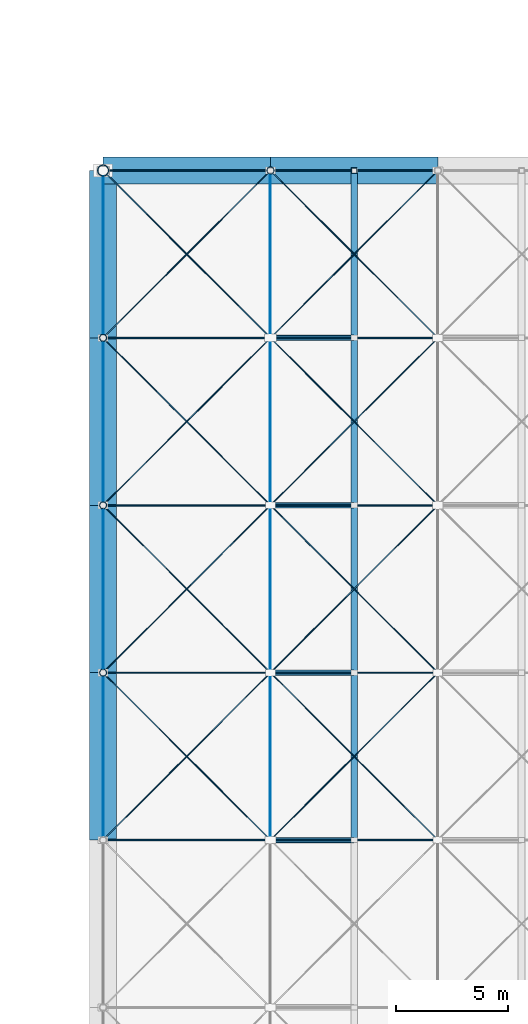
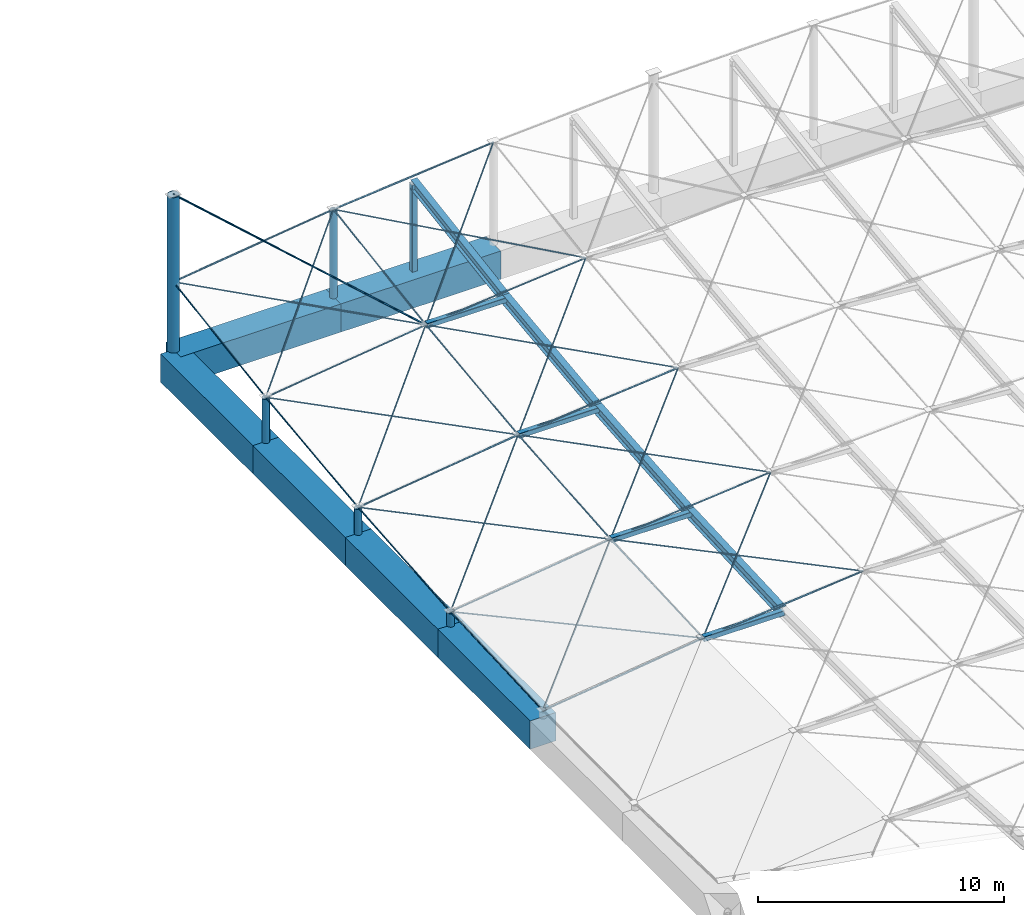
# One storey, part 2 of 17: 49 members, 6 beams.
"""IFC4 building model written with IfcOpenShell, lengths in metres."""

from ifc_helpers import new_model, si_unit, direction, frame, origin, origin_2d, place, context, subcontext, project, spatial, rectangle, hollow_rectangle, circle, hollow_circle, i_section, extrude, material, material_profile, profile_set, type_object, element, save


model = new_model("IFC4")

# Units and contexts
model_context = context("Model", 3, precision=1e-05, world=origin(), true_north=direction((0.0, 1.0)))
body_context = subcontext(model_context, "Body", "Model", "MODEL_VIEW")
ifc_project = project(units=[si_unit("LENGTHUNIT", "METRE"), si_unit("AREAUNIT", "SQUARE_METRE"), si_unit("VOLUMEUNIT", "CUBIC_METRE"), si_unit("PLANEANGLEUNIT", "RADIAN"), si_unit("MASSUNIT", "GRAM", prefix="KILO")], contexts=[model_context])

# Site, building, storey
site_placement = place(None, origin())
site = spatial("IfcSite", under=ifc_project, at=site_placement, CompositionType="ELEMENT")
building_placement = place(site_placement, origin())
building = spatial("IfcBuilding", under=site, at=building_placement, Name="Qasida Concert Hall", CompositionType="ELEMENT")
storey_placement = place(building_placement, frame((0.0, 0.0, 25.199951171875)))
storey = spatial("IfcBuildingStorey", under=building, at=storey_placement, Name="RF", CompositionType="ELEMENT", Elevation=25.199951171875)

# Beams
ifc_material_1 = material(Name="Concrete C50/60", Category="concrete")
ifc_material_profile_1 = material_profile(ifc_material_1, rectangle(XDim=1.199951171875, YDim=1.39990234375, at=origin_2d()), Name="RC 1200x1400")
ifc_profile_set_1 = profile_set([ifc_material_profile_1], Name="Concrete C50/60")
beam_type = type_object("IfcBeamType", Name="BM-RB1", PredefinedType="USERDEFINED", material=ifc_profile_set_1)
for number, where, z_axis, x_axis, name in (
    (1, (52.5, 82.5, 0.0), (1.0, 0.0, 0.0), (0.0, 1.0, 0.0), "Ring beam RB-006"),
    (2, (60.0, 82.5, 0.0), (1.0, 0.0, 0.0), (0.0, 1.0, 0.0), "Ring beam RB-007"),
    (3, (52.5, 52.5, 0.0), (0.0, 1.0, 0.0), (-1.0, 0.0, 0.0), "Ring beam RB-017"),
    (4, (52.5, 60.0, 0.0), (0.0, 1.0, 0.0), (-1.0, 0.0, 0.0), "Ring beam RB-018"),
    (5, (52.5, 67.5, 0.0), (0.0, 1.0, 0.0), (-1.0, 0.0, 0.0), "Ring beam RB-019"),
    (6, (52.5, 75.0, 0.0), (0.0, 1.0, 0.0), (-1.0, 0.0, 0.0), "Ring beam RB-020"),
):
    element("IfcBeam", number, at=place(storey_placement, frame(where, z_axis=z_axis, x_axis=x_axis)), inside=storey, type_object=beam_type, Name=name, ObjectType="GIRDER", PredefinedType="USERDEFINED", context=body_context, shape_type="SweptSolid", body=[
        extrude(rectangle(XDim=1.199951171875, YDim=1.39990234375, at=origin_2d()), origin(), (0.0, 0.0, 1.0), 7.5),
    ])

# Members
ifc_material_2 = material(Name="Steel S460N spiral strand EN 12385", Category="steel")
ifc_material_profile_2 = material_profile(ifc_material_2, circle(Radius=0.031982421875, at=origin_2d()), Name="STRAND D64")
ifc_profile_set_2 = profile_set([ifc_material_profile_2], Name="Steel S460N spiral strand EN 12385")
member_type_1 = type_object("IfcMemberType", Name="MB-CC1", PredefinedType="USERDEFINED", material=ifc_profile_set_2)
member_1_placement = place(storey_placement, frame((52.5, 52.5, 1.010009765625), z_axis=(0.991818265159, 0.0, 0.127657858738), x_axis=(0.0, 1.0, 0.0)))
element("IfcMember", 7, at=member_1_placement, inside=storey, type_object=member_type_1, Name="Roof cable CC-029", ObjectType="TENSION_CABLE", PredefinedType="USERDEFINED", context=body_context, shape_type="SweptSolid", body=[
    extrude(circle(Radius=0.031982421875, at=origin_2d()), origin(), (0.0, 0.0, 1.0), 7.561767578125),
])
member_2_placement = place(storey_placement, frame((60.0, 52.5, 1.975341796875), z_axis=(0.995724126481, 0.0, 0.092376750015), x_axis=(0.0, 1.0, 0.0)))
element("IfcMember", 8, at=member_2_placement, inside=storey, type_object=member_type_1, Name="Roof cable CC-030", ObjectType="TENSION_CABLE", PredefinedType="USERDEFINED", context=body_context, shape_type="SweptSolid", body=[
    extrude(circle(Radius=0.031982421875, at=origin_2d()), origin(), (0.0, 0.0, 1.0), 7.5322265625),
])
member_3_placement = place(storey_placement, frame((52.5, 67.5, 1.985107421875), z_axis=(0.991818265159, 0.0, 0.127657858738), x_axis=(0.0, 1.0, 0.0)))
element("IfcMember", 9, at=member_3_placement, inside=storey, type_object=member_type_1, Name="Roof cable CC-043", ObjectType="TENSION_CABLE", PredefinedType="USERDEFINED", context=body_context, shape_type="SweptSolid", body=[
    extrude(circle(Radius=0.031982421875, at=origin_2d()), origin(), (0.0, 0.0, 1.0), 7.561767578125),
])
member_4_placement = place(storey_placement, frame((60.0, 67.5, 2.950439453125), z_axis=(0.995724126481, 0.0, 0.092376750015), x_axis=(0.0, 1.0, 0.0)))
element("IfcMember", 10, at=member_4_placement, inside=storey, type_object=member_type_1, Name="Roof cable CC-044", ObjectType="TENSION_CABLE", PredefinedType="USERDEFINED", context=body_context, shape_type="SweptSolid", body=[
    extrude(circle(Radius=0.031982421875, at=origin_2d()), origin(), (0.0, 0.0, 1.0), 7.5322265625),
])
member_5_placement = place(storey_placement, frame((52.5, 82.5, 4.06005859375), z_axis=(0.991818265159, 0.0, 0.127657858738), x_axis=(0.0, 1.0, 0.0)))
element("IfcMember", 11, at=member_5_placement, inside=storey, type_object=member_type_1, Name="Roof cable CC-057", ObjectType="TENSION_CABLE", PredefinedType="USERDEFINED", context=body_context, shape_type="SweptSolid", body=[
    extrude(circle(Radius=0.031982421875, at=origin_2d()), origin(), (0.0, 0.0, 1.0), 7.561767578125),
])
member_6_placement = place(storey_placement, frame((60.0, 82.5, 5.025390625), z_axis=(0.995724126481, 0.0, 0.092376750015), x_axis=(0.0, 1.0, 0.0)))
element("IfcMember", 12, at=member_6_placement, inside=storey, type_object=member_type_1, Name="Roof cable CC-058", ObjectType="TENSION_CABLE", PredefinedType="USERDEFINED", context=body_context, shape_type="SweptSolid", body=[
    extrude(circle(Radius=0.031982421875, at=origin_2d()), origin(), (0.0, 0.0, 1.0), 7.5322265625),
])
member_7_placement = place(storey_placement, frame((52.5, 82.5, 8.400146484375), z_axis=(0.649842293237, -0.649842293237, -0.394220734921), x_axis=(0.707106781187, 0.707106781187, 0.0)))
element("IfcMember", 13, at=member_7_placement, inside=storey, type_object=member_type_1, Name="Roof cable guy stay GUY-03", ObjectType="TENSION_CABLE", PredefinedType="USERDEFINED", context=body_context, shape_type="SweptSolid", body=[
    extrude(circle(Radius=0.031982421875, at=origin_2d()), origin(), (0.0, 0.0, 1.0), 11.541259765625),
])
ifc_material_profile_3 = material_profile(ifc_material_2, circle(Radius=0.027099609375, at=origin_2d()), Name="STRAND D54")
ifc_profile_set_3 = profile_set([ifc_material_profile_3], Name="Steel S460N spiral strand EN 12385")
member_type_2 = type_object("IfcMemberType", Name="MB-CC2", PredefinedType="USERDEFINED", material=ifc_profile_set_3)
member_8_placement = place(storey_placement, frame((52.5, 60.0, 1.360107421875), z_axis=(0.991818265159, 0.0, 0.127657858738), x_axis=(0.0, 1.0, 0.0)))
element("IfcMember", 14, at=member_8_placement, inside=storey, type_object=member_type_2, Name="Roof cable CC-036", ObjectType="TENSION_CABLE", PredefinedType="USERDEFINED", context=body_context, shape_type="SweptSolid", body=[
    extrude(circle(Radius=0.027099609375, at=origin_2d()), origin(), (0.0, 0.0, 1.0), 7.561767578125),
])
member_9_placement = place(storey_placement, frame((60.0, 60.0, 2.325439453125), z_axis=(0.995724126481, 0.0, 0.092376750015), x_axis=(0.0, 1.0, 0.0)))
element("IfcMember", 15, at=member_9_placement, inside=storey, type_object=member_type_2, Name="Roof cable CC-037", ObjectType="TENSION_CABLE", PredefinedType="USERDEFINED", context=body_context, shape_type="SweptSolid", body=[
    extrude(circle(Radius=0.027099609375, at=origin_2d()), origin(), (0.0, 0.0, 1.0), 7.5322265625),
])
member_10_placement = place(storey_placement, frame((52.5, 75.0, 2.885009765625), z_axis=(0.991818265159, 0.0, 0.127657858738), x_axis=(0.0, 1.0, 0.0)))
element("IfcMember", 16, at=member_10_placement, inside=storey, type_object=member_type_2, Name="Roof cable CC-050", ObjectType="TENSION_CABLE", PredefinedType="USERDEFINED", context=body_context, shape_type="SweptSolid", body=[
    extrude(circle(Radius=0.027099609375, at=origin_2d()), origin(), (0.0, 0.0, 1.0), 7.561767578125),
])
member_11_placement = place(storey_placement, frame((60.0, 75.0, 3.850341796875), z_axis=(0.995724126481, 0.0, 0.092376750015), x_axis=(0.0, 1.0, 0.0)))
element("IfcMember", 17, at=member_11_placement, inside=storey, type_object=member_type_2, Name="Roof cable CC-051", ObjectType="TENSION_CABLE", PredefinedType="USERDEFINED", context=body_context, shape_type="SweptSolid", body=[
    extrude(circle(Radius=0.027099609375, at=origin_2d()), origin(), (0.0, 0.0, 1.0), 7.5322265625),
])
ifc_material_3 = material(Name="Steel S355J2", Category="steel")
ifc_material_profile_4 = material_profile(ifc_material_3, i_section(OverallWidth=0.300048828125, OverallDepth=0.489990234375, WebThickness=0.011962890625, FlangeThickness=0.02294921875, FilletRadius=0.027099609375, at=origin_2d()), Name="HEA 500")
ifc_profile_set_4 = profile_set([ifc_material_profile_4], Name="Steel S355J2")
member_type_3 = type_object("IfcMemberType", Name="MB-PR3", PredefinedType="PURLIN", material=ifc_profile_set_4)
member_12_placement = place(storey_placement, frame((63.75, 52.5, 1.967041015625), z_axis=(0.0, 0.998913794708, 0.046596467051), x_axis=(-1.0, 0.0, 0.0)))
element("IfcMember", 18, at=member_12_placement, inside=storey, type_object=member_type_3, Name="Cable-net secondary rib RFR-014", PredefinedType="PURLIN", context=body_context, shape_type="SweptSolid", body=[
    extrude(i_section(OverallWidth=0.300048828125, OverallDepth=0.489990234375, WebThickness=0.011962890625, FlangeThickness=0.02294921875, FilletRadius=0.027099609375, at=origin_2d()), origin(), (0.0, 0.0, 1.0), 7.508056640625),
])
member_13_placement = place(storey_placement, frame((63.75, 60.0, 2.31689453125), z_axis=(0.0, 0.996545758245, 0.083045479854), x_axis=(-1.0, 0.0, 0.0)))
element("IfcMember", 19, at=member_13_placement, inside=storey, type_object=member_type_3, Name="Cable-net secondary rib RFR-015", PredefinedType="PURLIN", context=body_context, shape_type="SweptSolid", body=[
    extrude(i_section(OverallWidth=0.300048828125, OverallDepth=0.489990234375, WebThickness=0.011962890625, FlangeThickness=0.02294921875, FilletRadius=0.027099609375, at=origin_2d()), origin(), (0.0, 0.0, 1.0), 7.52587890625),
])
member_14_placement = place(storey_placement, frame((63.75, 67.5, 2.94189453125), z_axis=(0.0, 0.992874544287, 0.119164337395), x_axis=(-1.0, 0.0, 0.0)))
element("IfcMember", 20, at=member_14_placement, inside=storey, type_object=member_type_3, Name="Cable-net secondary rib RFR-016", PredefinedType="PURLIN", context=body_context, shape_type="SweptSolid", body=[
    extrude(i_section(OverallWidth=0.300048828125, OverallDepth=0.489990234375, WebThickness=0.011962890625, FlangeThickness=0.02294921875, FilletRadius=0.027099609375, at=origin_2d()), origin(), (0.0, 0.0, 1.0), 7.5537109375),
])
member_15_placement = place(storey_placement, frame((63.75, 75.0, 3.842041015625), z_axis=(0.0, 0.987953099139, 0.15475359092), x_axis=(-1.0, 0.0, 0.0)))
element("IfcMember", 21, at=member_15_placement, inside=storey, type_object=member_type_3, Name="Cable-net secondary rib RFR-017", PredefinedType="PURLIN", context=body_context, shape_type="SweptSolid", body=[
    extrude(i_section(OverallWidth=0.300048828125, OverallDepth=0.489990234375, WebThickness=0.011962890625, FlangeThickness=0.02294921875, FilletRadius=0.027099609375, at=origin_2d()), origin(), (0.0, 0.0, 1.0), 7.591552734375),
])
ifc_material_profile_5 = material_profile(ifc_material_2, circle(Radius=0.02197265625, at=origin_2d()), Name="STRAND D44")
ifc_profile_set_5 = profile_set([ifc_material_profile_5], Name="Steel S460N spiral strand EN 12385")
member_type_4 = type_object("IfcMemberType", Name="MB-SC1", PredefinedType="USERDEFINED", material=ifc_profile_set_5)
member_16_placement = place(storey_placement, frame((52.5, 52.5, 1.010009765625), z_axis=(0.0, 0.998912280665, 0.046628913101), x_axis=(-1.0, 0.0, 0.0)))
element("IfcMember", 22, at=member_16_placement, inside=storey, type_object=member_type_4, Name="Roof cable SC-005", ObjectType="TENSION_CABLE", PredefinedType="USERDEFINED", context=body_context, shape_type="SweptSolid", body=[
    extrude(circle(Radius=0.02197265625, at=origin_2d()), origin(), (0.0, 0.0, 1.0), 7.508056640625),
])
member_17_placement = place(storey_placement, frame((52.5, 60.0, 1.360107421875), z_axis=(0.0, 0.996545758245, 0.083045479854), x_axis=(-1.0, 0.0, 0.0)))
element("IfcMember", 23, at=member_17_placement, inside=storey, type_object=member_type_4, Name="Roof cable SC-006", ObjectType="TENSION_CABLE", PredefinedType="USERDEFINED", context=body_context, shape_type="SweptSolid", body=[
    extrude(circle(Radius=0.02197265625, at=origin_2d()), origin(), (0.0, 0.0, 1.0), 7.52587890625),
])
member_18_placement = place(storey_placement, frame((52.5, 67.5, 1.985107421875), z_axis=(0.0, 0.992878367755, 0.119132476027), x_axis=(-1.0, 0.0, 0.0)))
element("IfcMember", 24, at=member_18_placement, inside=storey, type_object=member_type_4, Name="Roof cable SC-007", ObjectType="TENSION_CABLE", PredefinedType="USERDEFINED", context=body_context, shape_type="SweptSolid", body=[
    extrude(circle(Radius=0.02197265625, at=origin_2d()), origin(), (0.0, 0.0, 1.0), 7.5537109375),
])
member_19_placement = place(storey_placement, frame((52.5, 75.0, 2.885009765625), z_axis=(0.0, 0.987948181755, 0.154784980429), x_axis=(-1.0, 0.0, 0.0)))
element("IfcMember", 25, at=member_19_placement, inside=storey, type_object=member_type_4, Name="Roof cable SC-008", ObjectType="TENSION_CABLE", PredefinedType="USERDEFINED", context=body_context, shape_type="SweptSolid", body=[
    extrude(circle(Radius=0.02197265625, at=origin_2d()), origin(), (0.0, 0.0, 1.0), 7.591552734375),
])
member_20_placement = place(storey_placement, frame((60.0, 52.5, 1.975341796875), z_axis=(0.0, 0.998912280665, 0.046628913101), x_axis=(-1.0, 0.0, 0.0)))
element("IfcMember", 26, at=member_20_placement, inside=storey, type_object=member_type_4, Name="Roof cable SC-013", ObjectType="TENSION_CABLE", PredefinedType="USERDEFINED", context=body_context, shape_type="SweptSolid", body=[
    extrude(circle(Radius=0.02197265625, at=origin_2d()), origin(), (0.0, 0.0, 1.0), 7.508056640625),
])
member_21_placement = place(storey_placement, frame((60.0, 60.0, 2.325439453125), z_axis=(0.0, 0.996545758245, 0.083045479854), x_axis=(-1.0, 0.0, 0.0)))
element("IfcMember", 27, at=member_21_placement, inside=storey, type_object=member_type_4, Name="Roof cable SC-014", ObjectType="TENSION_CABLE", PredefinedType="USERDEFINED", context=body_context, shape_type="SweptSolid", body=[
    extrude(circle(Radius=0.02197265625, at=origin_2d()), origin(), (0.0, 0.0, 1.0), 7.52587890625),
])
member_22_placement = place(storey_placement, frame((60.0, 67.5, 2.950439453125), z_axis=(0.0, 0.992878367755, 0.119132476027), x_axis=(-1.0, 0.0, 0.0)))
element("IfcMember", 28, at=member_22_placement, inside=storey, type_object=member_type_4, Name="Roof cable SC-015", ObjectType="TENSION_CABLE", PredefinedType="USERDEFINED", context=body_context, shape_type="SweptSolid", body=[
    extrude(circle(Radius=0.02197265625, at=origin_2d()), origin(), (0.0, 0.0, 1.0), 7.5537109375),
])
member_23_placement = place(storey_placement, frame((60.0, 75.0, 3.850341796875), z_axis=(0.0, 0.987948181755, 0.154784980429), x_axis=(-1.0, 0.0, 0.0)))
element("IfcMember", 29, at=member_23_placement, inside=storey, type_object=member_type_4, Name="Roof cable SC-016", ObjectType="TENSION_CABLE", PredefinedType="USERDEFINED", context=body_context, shape_type="SweptSolid", body=[
    extrude(circle(Radius=0.02197265625, at=origin_2d()), origin(), (0.0, 0.0, 1.0), 7.591552734375),
])
member_24_placement = place(storey_placement, frame((52.5, 52.5, 1.010009765625), z_axis=(0.701730736791, 0.701730736791, 0.123076992508), x_axis=(-0.707106781187, 0.707106781187, 0.0)))
element("IfcMember", 30, at=member_24_placement, inside=storey, type_object=member_type_4, Name="Roof cable diagonal DC-009", ObjectType="TENSION_CABLE", PredefinedType="USERDEFINED", context=body_context, shape_type="SweptSolid", body=[
    extrude(circle(Radius=0.02197265625, at=origin_2d()), origin(), (0.0, 0.0, 1.0), 10.687744140625),
])
member_25_placement = place(storey_placement, frame((52.5, 60.0, 1.360107421875), z_axis=(0.705920221886, -0.705920221886, 0.057907518202), x_axis=(0.707106781187, 0.707106781187, 0.0)))
element("IfcMember", 31, at=member_25_placement, inside=storey, type_object=member_type_4, Name="Roof cable diagonal DC-010", ObjectType="TENSION_CABLE", PredefinedType="USERDEFINED", context=body_context, shape_type="SweptSolid", body=[
    extrude(circle(Radius=0.02197265625, at=origin_2d()), origin(), (0.0, 0.0, 1.0), 10.62451171875),
])
member_26_placement = place(storey_placement, frame((52.5, 60.0, 1.360107421875), z_axis=(0.699289966246, 0.699289966246, 0.148280430994), x_axis=(-0.707106781187, 0.707106781187, 0.0)))
element("IfcMember", 32, at=member_26_placement, inside=storey, type_object=member_type_4, Name="Roof cable diagonal DC-011", ObjectType="TENSION_CABLE", PredefinedType="USERDEFINED", context=body_context, shape_type="SweptSolid", body=[
    extrude(circle(Radius=0.02197265625, at=origin_2d()), origin(), (0.0, 0.0, 1.0), 10.72509765625),
])
member_27_placement = place(storey_placement, frame((52.5, 67.5, 1.985107421875), z_axis=(0.706743056362, -0.706743056362, 0.032070306659), x_axis=(0.707106781187, 0.707106781187, 0.0)))
element("IfcMember", 33, at=member_27_placement, inside=storey, type_object=member_type_4, Name="Roof cable diagonal DC-012", ObjectType="TENSION_CABLE", PredefinedType="USERDEFINED", context=body_context, shape_type="SweptSolid", body=[
    extrude(circle(Radius=0.02197265625, at=origin_2d()), origin(), (0.0, 0.0, 1.0), 10.612060546875),
])
member_28_placement = place(storey_placement, frame((52.5, 67.5, 1.985107421875), z_axis=(0.69642026103, 0.69642026103, 0.173198268043), x_axis=(-0.707106781187, 0.707106781187, 0.0)))
element("IfcMember", 34, at=member_28_placement, inside=storey, type_object=member_type_4, Name="Roof cable diagonal DC-013", ObjectType="TENSION_CABLE", PredefinedType="USERDEFINED", context=body_context, shape_type="SweptSolid", body=[
    extrude(circle(Radius=0.02197265625, at=origin_2d()), origin(), (0.0, 0.0, 1.0), 10.769287109375),
])
member_29_placement = place(storey_placement, frame((52.5, 75.0, 2.885009765625), z_axis=(0.707093327547, -0.707093327547, 0.006168652727), x_axis=(0.707106781187, 0.707106781187, 0.0)))
element("IfcMember", 35, at=member_29_placement, inside=storey, type_object=member_type_4, Name="Roof cable diagonal DC-014", ObjectType="TENSION_CABLE", PredefinedType="USERDEFINED", context=body_context, shape_type="SweptSolid", body=[
    extrude(circle(Radius=0.02197265625, at=origin_2d()), origin(), (0.0, 0.0, 1.0), 10.606689453125),
])
member_30_placement = place(storey_placement, frame((52.5, 75.0, 2.885009765625), z_axis=(0.693134673849, 0.693134673849, 0.197809625184), x_axis=(-0.707106781187, 0.707106781187, 0.0)))
element("IfcMember", 36, at=member_30_placement, inside=storey, type_object=member_type_4, Name="Roof cable diagonal DC-015", ObjectType="TENSION_CABLE", PredefinedType="USERDEFINED", context=body_context, shape_type="SweptSolid", body=[
    extrude(circle(Radius=0.02197265625, at=origin_2d()), origin(), (0.0, 0.0, 1.0), 10.8203125),
])
member_31_placement = place(storey_placement, frame((52.5, 82.5, 4.06005859375), z_axis=(0.706968602328, -0.706968602328, -0.019768425436), x_axis=(0.707106781187, 0.707106781187, 0.0)))
element("IfcMember", 37, at=member_31_placement, inside=storey, type_object=member_type_4, Name="Roof cable diagonal DC-016", ObjectType="TENSION_CABLE", PredefinedType="USERDEFINED", context=body_context, shape_type="SweptSolid", body=[
    extrude(circle(Radius=0.02197265625, at=origin_2d()), origin(), (0.0, 0.0, 1.0), 10.608642578125),
])
member_32_placement = place(storey_placement, frame((60.0, 52.5, 1.975341796875), z_axis=(0.703693843449, 0.703693843449, 0.098132305512), x_axis=(-0.707106781187, 0.707106781187, 0.0)))
element("IfcMember", 38, at=member_32_placement, inside=storey, type_object=member_type_4, Name="Roof cable diagonal DC-025", ObjectType="TENSION_CABLE", PredefinedType="USERDEFINED", context=body_context, shape_type="SweptSolid", body=[
    extrude(circle(Radius=0.02197265625, at=origin_2d()), origin(), (0.0, 0.0, 1.0), 10.657958984375),
])
member_33_placement = place(storey_placement, frame((60.0, 60.0, 2.325439453125), z_axis=(0.706731494425, -0.706731494425, 0.032575904821), x_axis=(0.707106781187, 0.707106781187, 0.0)))
element("IfcMember", 39, at=member_33_placement, inside=storey, type_object=member_type_4, Name="Roof cable diagonal DC-026", ObjectType="TENSION_CABLE", PredefinedType="USERDEFINED", context=body_context, shape_type="SweptSolid", body=[
    extrude(circle(Radius=0.02197265625, at=origin_2d()), origin(), (0.0, 0.0, 1.0), 10.6123046875),
])
member_34_placement = place(storey_placement, frame((60.0, 60.0, 2.325439453125), z_axis=(0.701687249264, 0.701687249264, 0.123571875603), x_axis=(-0.707106781187, 0.707106781187, 0.0)))
element("IfcMember", 40, at=member_34_placement, inside=storey, type_object=member_type_4, Name="Roof cable diagonal DC-027", ObjectType="TENSION_CABLE", PredefinedType="USERDEFINED", context=body_context, shape_type="SweptSolid", body=[
    extrude(circle(Radius=0.02197265625, at=origin_2d()), origin(), (0.0, 0.0, 1.0), 10.6884765625),
])
member_35_placement = place(storey_placement, frame((60.0, 67.5, 2.950439453125), z_axis=(0.707091028158, -0.707091028158, 0.006675012961), x_axis=(0.707106781187, 0.707106781187, 0.0)))
element("IfcMember", 41, at=member_35_placement, inside=storey, type_object=member_type_4, Name="Roof cable diagonal DC-028", ObjectType="TENSION_CABLE", PredefinedType="USERDEFINED", context=body_context, shape_type="SweptSolid", body=[
    extrude(circle(Radius=0.02197265625, at=origin_2d()), origin(), (0.0, 0.0, 1.0), 10.60693359375),
])
member_36_placement = place(storey_placement, frame((60.0, 67.5, 2.950439453125), z_axis=(0.699237956562, 0.699237956562, 0.148770158987), x_axis=(-0.707106781187, 0.707106781187, 0.0)))
element("IfcMember", 42, at=member_36_placement, inside=storey, type_object=member_type_4, Name="Roof cable diagonal DC-029", ObjectType="TENSION_CABLE", PredefinedType="USERDEFINED", context=body_context, shape_type="SweptSolid", body=[
    extrude(circle(Radius=0.02197265625, at=origin_2d()), origin(), (0.0, 0.0, 1.0), 10.72607421875),
])
member_37_placement = place(storey_placement, frame((60.0, 75.0, 3.850341796875), z_axis=(0.706975900805, -0.706975900805, -0.019239318134), x_axis=(0.707106781187, 0.707106781187, 0.0)))
element("IfcMember", 43, at=member_37_placement, inside=storey, type_object=member_type_4, Name="Roof cable diagonal DC-030", ObjectType="TENSION_CABLE", PredefinedType="USERDEFINED", context=body_context, shape_type="SweptSolid", body=[
    extrude(circle(Radius=0.02197265625, at=origin_2d()), origin(), (0.0, 0.0, 1.0), 10.608642578125),
])
member_38_placement = place(storey_placement, frame((60.0, 75.0, 3.850341796875), z_axis=(0.696357283261, 0.696357283261, 0.17370396685), x_axis=(-0.707106781187, 0.707106781187, 0.0)))
element("IfcMember", 44, at=member_38_placement, inside=storey, type_object=member_type_4, Name="Roof cable diagonal DC-031", ObjectType="TENSION_CABLE", PredefinedType="USERDEFINED", context=body_context, shape_type="SweptSolid", body=[
    extrude(circle(Radius=0.02197265625, at=origin_2d()), origin(), (0.0, 0.0, 1.0), 10.770263671875),
])
member_39_placement = place(storey_placement, frame((60.0, 82.5, 5.025390625), z_axis=(0.706386074053, -0.706386074053, -0.045137886177), x_axis=(0.707106781187, 0.707106781187, 0.0)))
element("IfcMember", 45, at=member_39_placement, inside=storey, type_object=member_type_4, Name="Roof cable diagonal DC-032", ObjectType="TENSION_CABLE", PredefinedType="USERDEFINED", context=body_context, shape_type="SweptSolid", body=[
    extrude(circle(Radius=0.02197265625, at=origin_2d()), origin(), (0.0, 0.0, 1.0), 10.617431640625),
])
ifc_material_profile_6 = material_profile(ifc_material_3, hollow_circle(Radius=0.25390625, WallThickness=0.02490234375, at=origin_2d()), Name="CHS 508x25")
ifc_profile_set_6 = profile_set([ifc_material_profile_6], Name="Steel S355J2")
member_type_5 = type_object("IfcMemberType", Name="MB-ST1", PredefinedType="STRUT", material=ifc_profile_set_6)
member_40_placement = place(storey_placement, frame((52.5, 82.5, 0.0), z_axis=(0.0, 0.0, 1.0), x_axis=(1.0, 0.0, 0.0)))
element("IfcMember", 46, at=member_40_placement, inside=storey, type_object=member_type_5, Name="Cable-net mast MS-03", PredefinedType="STRUT", context=body_context, shape_type="SweptSolid", body=[
    extrude(hollow_circle(Radius=0.25390625, WallThickness=0.02490234375, at=origin_2d()), origin(), (0.0, 0.0, 1.0), 8.400146484375),
])
ifc_material_profile_7 = material_profile(ifc_material_3, hollow_circle(Radius=0.161865234375, WallThickness=0.01611328125, at=origin_2d()), Name="CHS 323.9x16")
ifc_profile_set_7 = profile_set([ifc_material_profile_7], Name="Steel S355J2")
member_type_6 = type_object("IfcMemberType", Name="MB-ST3", PredefinedType="STRUT", material=ifc_profile_set_7)
member_41_placement = place(storey_placement, frame((52.5, 60.0, 0.0), z_axis=(0.0, 0.0, 1.0), x_axis=(1.0, 0.0, 0.0)))
element("IfcMember", 47, at=member_41_placement, inside=storey, type_object=member_type_6, Name="Roof ring-beam edge strut EST-005", PredefinedType="STRUT", context=body_context, shape_type="SweptSolid", body=[
    extrude(hollow_circle(Radius=0.161865234375, WallThickness=0.01611328125, at=origin_2d()), origin(), (0.0, 0.0, 1.0), 1.360107421875),
])
member_42_placement = place(storey_placement, frame((52.5, 67.5, 0.0), z_axis=(0.0, 0.0, 1.0), x_axis=(1.0, 0.0, 0.0)))
element("IfcMember", 48, at=member_42_placement, inside=storey, type_object=member_type_6, Name="Roof ring-beam edge strut EST-006", PredefinedType="STRUT", context=body_context, shape_type="SweptSolid", body=[
    extrude(hollow_circle(Radius=0.161865234375, WallThickness=0.01611328125, at=origin_2d()), origin(), (0.0, 0.0, 1.0), 1.985107421875),
])
member_43_placement = place(storey_placement, frame((52.5, 75.0, 0.0), z_axis=(0.0, 0.0, 1.0), x_axis=(1.0, 0.0, 0.0)))
element("IfcMember", 49, at=member_43_placement, inside=storey, type_object=member_type_6, Name="Roof ring-beam edge strut EST-007", PredefinedType="STRUT", context=body_context, shape_type="SweptSolid", body=[
    extrude(hollow_circle(Radius=0.161865234375, WallThickness=0.01611328125, at=origin_2d()), origin(), (0.0, 0.0, 1.0), 2.885009765625),
])
member_44_placement = place(storey_placement, frame((60.0, 82.5, 0.0), z_axis=(0.0, 0.0, 1.0), x_axis=(1.0, 0.0, 0.0)))
element("IfcMember", 50, at=member_44_placement, inside=storey, type_object=member_type_6, Name="Roof ring-beam edge strut EST-009", PredefinedType="STRUT", context=body_context, shape_type="SweptSolid", body=[
    extrude(hollow_circle(Radius=0.161865234375, WallThickness=0.01611328125, at=origin_2d()), origin(), (0.0, 0.0, 1.0), 5.025390625),
])
ifc_material_profile_8 = material_profile(ifc_material_3, hollow_rectangle(XDim=0.25, YDim=0.25, WallThickness=0.012451171875, InnerFilletRadius=0.012451171875, OuterFilletRadius=0.02490234375, at=origin_2d()), Name="SHS 250x250x12.5")
ifc_profile_set_8 = profile_set([ifc_material_profile_8], Name="Steel S355J2")
member_type_7 = type_object("IfcMemberType", Name="MB-ST5", PredefinedType="STRUT", material=ifc_profile_set_8)
member_45_placement = place(storey_placement, frame((63.75, 82.5, 0.0), z_axis=(0.0, 0.0, 1.0), x_axis=(1.0, 0.0, 0.0)))
element("IfcMember", 51, at=member_45_placement, inside=storey, type_object=member_type_7, Name="Cable-net rib post RFRE-002", PredefinedType="STRUT", context=body_context, shape_type="SweptSolid", body=[
    extrude(hollow_rectangle(XDim=0.25, YDim=0.25, WallThickness=0.012451171875, InnerFilletRadius=0.012451171875, OuterFilletRadius=0.02490234375, at=origin_2d()), origin(), (0.0, 0.0, 1.0), 5.016845703125),
])
for number, where, z_axis, x_axis, name in (
    (52, (60.0, 52.5, 1.975341796875), (0.999997550126, 0.0, -0.002213536244), (0.0, 1.0, 0.0), "Cable-net rib hanger strut RFRH-006"),
    (53, (60.0, 60.0, 2.325439453125), (0.999997403897, 0.0, -0.002278639918), (0.0, 1.0, 0.0), "Cable-net rib hanger strut RFRH-007"),
    (54, (60.0, 67.5, 2.950439453125), (0.999997403897, 0.0, -0.002278639918), (0.0, 1.0, 0.0), "Cable-net rib hanger strut RFRH-008"),
    (55, (60.0, 75.0, 3.850341796875), (0.999997550126, 0.0, -0.002213536244), (0.0, 1.0, 0.0), "Cable-net rib hanger strut RFRH-009"),
):
    element("IfcMember", number, at=place(storey_placement, frame(where, z_axis=z_axis, x_axis=x_axis)), inside=storey, type_object=member_type_7, Name=name, PredefinedType="STRUT", context=body_context, shape_type="SweptSolid", body=[
        extrude(hollow_rectangle(XDim=0.25, YDim=0.25, WallThickness=0.012451171875, InnerFilletRadius=0.012451171875, OuterFilletRadius=0.02490234375, at=origin_2d()), origin(), (0.0, 0.0, 1.0), 3.75),
    ])

save(model, "model.ifc")
